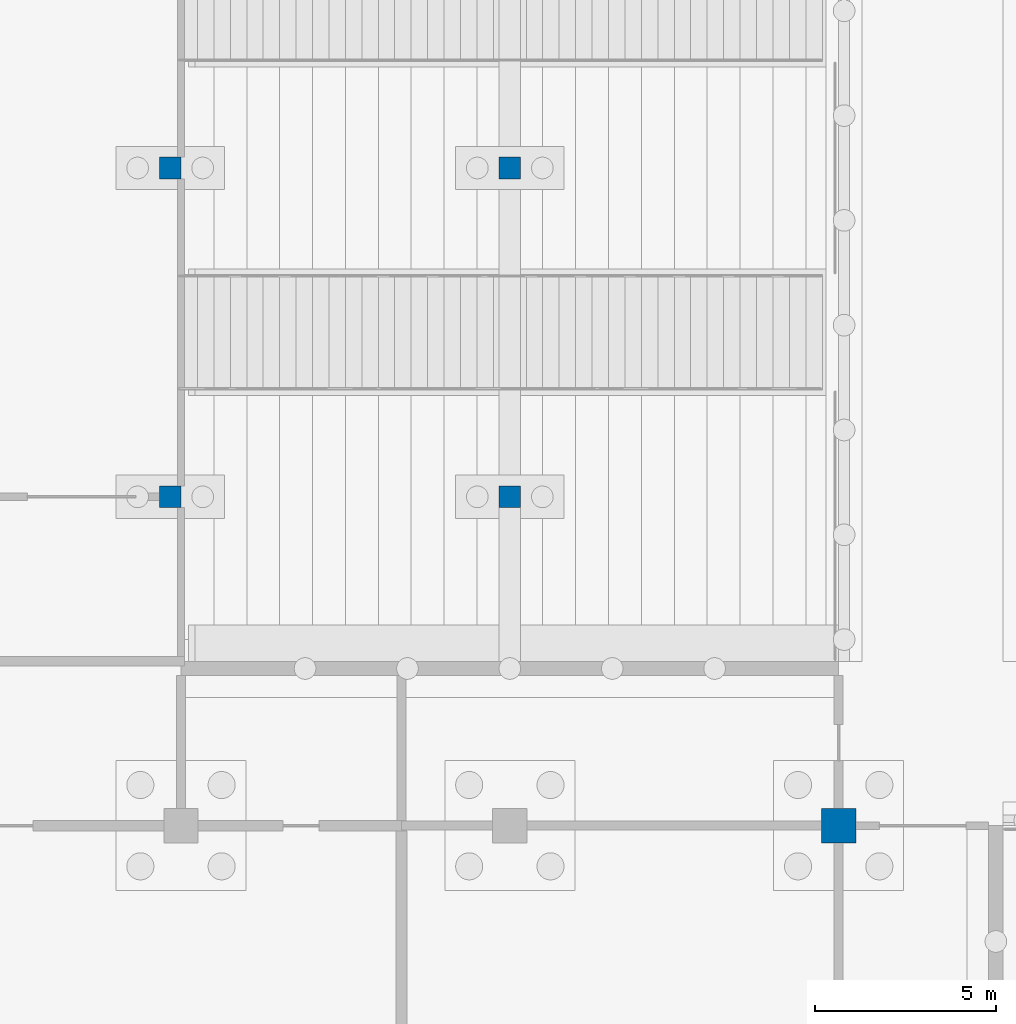
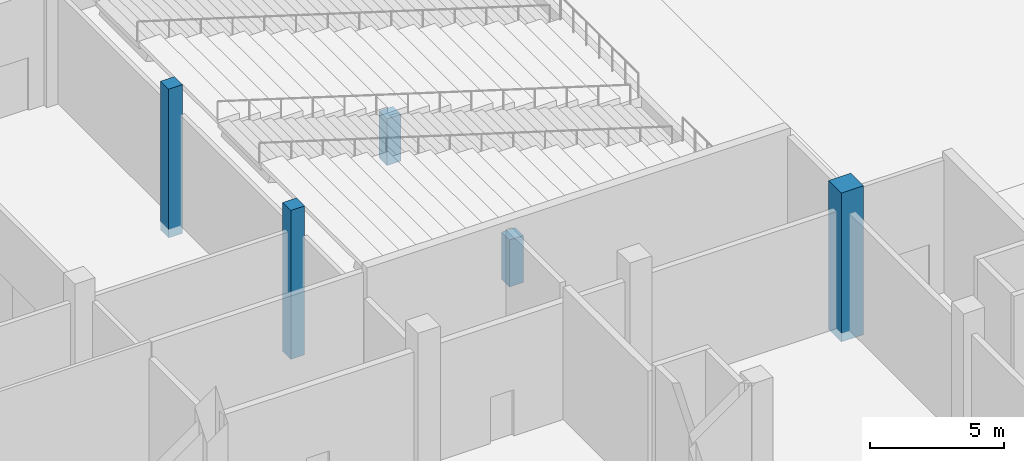
# One storey, part 16 of 129: 5 columns.
"""IFC4 building model written with IfcOpenShell, lengths in metres."""

from ifc_helpers import new_model, si_unit, direction, frame, origin, origin_2d, place, context, subcontext, project, spatial, rectangle, extrude, material, material_profile, profile_set, type_object, element, save


model = new_model("IFC4")

# Units and contexts
model_context = context("Model", 3, precision=1e-05, world=origin(), true_north=direction((0.0, 1.0)))
body_context = subcontext(model_context, "Body", "Model", "MODEL_VIEW")
ifc_project = project(units=[si_unit("LENGTHUNIT", "METRE"), si_unit("AREAUNIT", "SQUARE_METRE"), si_unit("VOLUMEUNIT", "CUBIC_METRE"), si_unit("PLANEANGLEUNIT", "RADIAN"), si_unit("MASSUNIT", "GRAM", prefix="KILO")], contexts=[model_context])

# Site, building, storey
site_placement = place(None, origin())
site = spatial("IfcSite", under=ifc_project, at=site_placement, CompositionType="ELEMENT")
building_placement = place(site_placement, origin())
building = spatial("IfcBuilding", under=site, at=building_placement, Name="Shirokan Park Arena", CompositionType="ELEMENT")
storey_placement = place(building_placement, origin())
storey = spatial("IfcBuildingStorey", under=building, at=storey_placement, Name="L00", CompositionType="ELEMENT", Elevation=0.0)

# Columns
ifc_material = material(Name="Concrete C35", Category="concrete")
ifc_material_profile_1 = material_profile(ifc_material, rectangle(XDim=0.60009765625, YDim=0.60009765625, at=origin_2d()), Name="600x600")
ifc_profile_set_1 = profile_set([ifc_material_profile_1], Name="Concrete C35")
column_type_1 = type_object("IfcColumnType", Name="RC column 600x600", PredefinedType="COLUMN", material=ifc_profile_set_1)
for number, where, z_axis, x_axis, name in (
    (1, (17.89990234375, 45.5, -0.39990234375), (0.0, 0.0, 1.0), (1.0, 0.0, 0.0), "Column 3F L00"),
    (2, (17.89990234375, 54.60009765625, -0.39990234375), (0.0, 0.0, 1.0), (1.0, 0.0, 0.0), "Column 3G L00"),
):
    element("IfcColumn", number, at=place(storey_placement, frame(where, z_axis=z_axis, x_axis=x_axis)), inside=storey, type_object=column_type_1, Name=name, PredefinedType="COLUMN", context=body_context, shape_type="SweptSolid", body=[
        extrude(rectangle(XDim=0.60009765625, YDim=0.60009765625, at=origin_2d()), origin(), (0.0, 0.0, 1.0), 6.77001953125),
    ])
for number, where, z_axis, x_axis, name in (
    (3, (27.300048828125, 45.5, -0.39990234375), (0.0, 0.0, 1.0), (1.0, 0.0, 0.0), "Column 4F L00"),
    (4, (27.300048828125, 54.60009765625, -0.39990234375), (0.0, 0.0, 1.0), (1.0, 0.0, 0.0), "Column 4G L00"),
):
    element("IfcColumn", number, at=place(storey_placement, frame(where, z_axis=z_axis, x_axis=x_axis)), inside=storey, type_object=column_type_1, Name=name, PredefinedType="COLUMN", context=body_context, shape_type="SweptSolid", body=[
        extrude(rectangle(XDim=0.60009765625, YDim=0.60009765625, at=origin_2d()), origin(), (0.0, 0.0, 1.0), 2.1328125),
    ])
ifc_material_profile_2 = material_profile(ifc_material, rectangle(XDim=0.949951171875, YDim=0.949951171875, at=origin_2d()), Name="950x950")
ifc_profile_set_2 = profile_set([ifc_material_profile_2], Name="Concrete C35")
column_type_2 = type_object("IfcColumnType", Name="RC column 950x950", PredefinedType="COLUMN", material=ifc_profile_set_2)
column_placement = place(storey_placement, frame((36.39990234375, 36.39990234375, -0.39990234375), z_axis=(0.0, 0.0, 1.0), x_axis=(1.0, 0.0, 0.0)))
element("IfcColumn", 5, at=column_placement, inside=storey, type_object=column_type_2, Name="Column 5E L00", PredefinedType="COLUMN", context=body_context, shape_type="SweptSolid", body=[
    extrude(rectangle(XDim=0.949951171875, YDim=0.949951171875, at=origin_2d()), origin(), (0.0, 0.0, 1.0), 6.77001953125),
])

save(model, "model.ifc")
